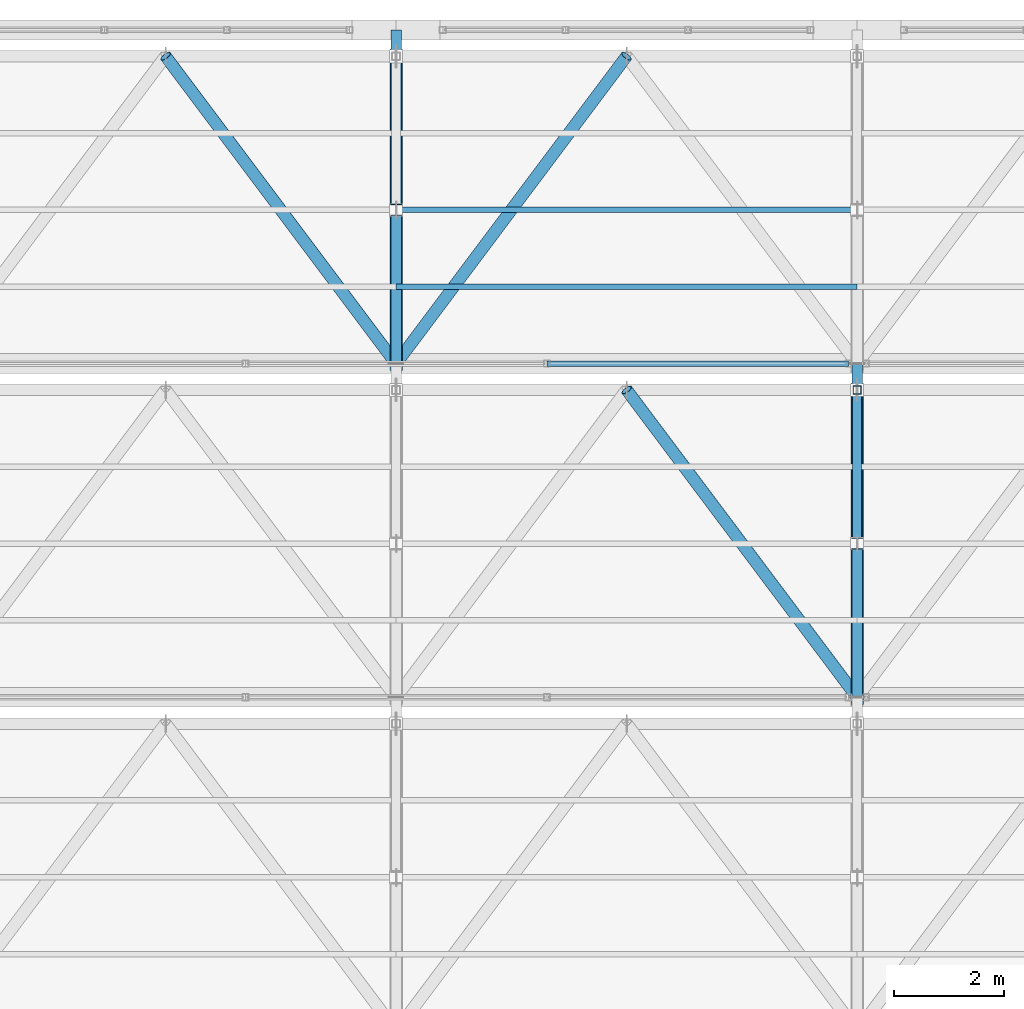
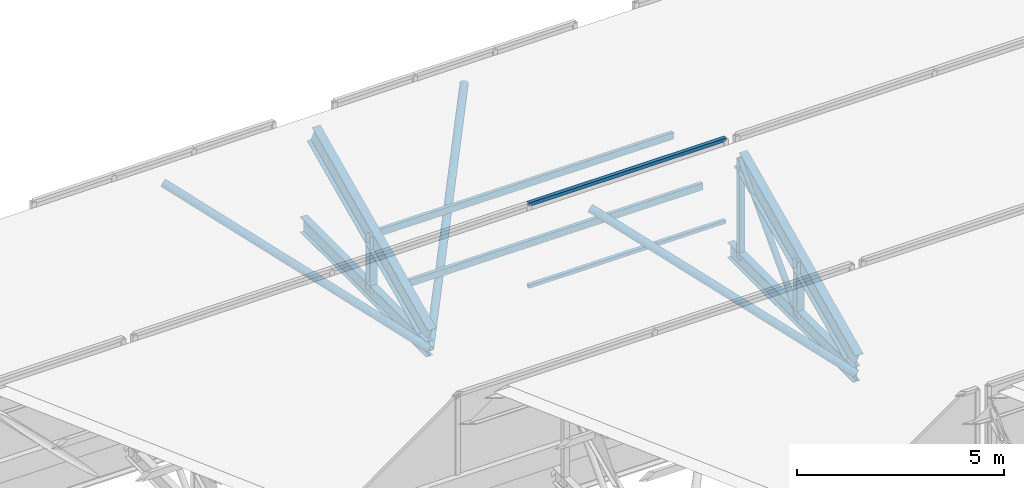
# One storey, part 111 of 217: 15 members, 1 element without a shape of its own.
"""IFC4 building model written with IfcOpenShell, lengths in metres."""

from ifc_helpers import new_model, si_unit, direction, frame, origin, origin_2d, place, context, subcontext, project, spatial, hollow_rectangle, hollow_circle, i_section, extrude, material, material_profile, profile_set, type_object, element, aggregate, save


model = new_model("IFC4")

# Units and contexts
model_context = context("Model", 3, precision=1e-05, world=origin(), true_north=direction((0.0, 1.0)))
body_context = subcontext(model_context, "Body", "Model", "MODEL_VIEW")
ifc_project = project(units=[si_unit("LENGTHUNIT", "METRE"), si_unit("AREAUNIT", "SQUARE_METRE"), si_unit("VOLUMEUNIT", "CUBIC_METRE"), si_unit("PLANEANGLEUNIT", "RADIAN"), si_unit("MASSUNIT", "GRAM", prefix="KILO")], contexts=[model_context])

# Site, building, storey
site_placement = place(None, origin())
site = spatial("IfcSite", under=ifc_project, at=site_placement, CompositionType="ELEMENT")
building_placement = place(site_placement, origin())
building = spatial("IfcBuilding", under=site, at=building_placement, Name="Zuvorla Pavilion Media Centre", CompositionType="ELEMENT")
storey_placement = place(building_placement, frame((0.0, 0.0, 9.60009765625)))
storey = spatial("IfcBuildingStorey", under=building, at=storey_placement, Name="L02", CompositionType="ELEMENT", Elevation=9.60009765625)

# Curtain wall, members
ifc_material_1 = material(Name="Unitised anodised aluminium and solar glass curtain wall", Category="aluminium")
curtain_wall_type = type_object("IfcCurtainWallType", Name="CW-SYS-88", PredefinedType="USERDEFINED", material=ifc_material_1)
curtain_wall_placement = place(storey_placement, origin())
curtain_wall = element("IfcCurtainWall", 1, at=curtain_wall_placement, inside=storey, type_object=curtain_wall_type, Name="L02 curtain wall CW88 213", ObjectType="CURTAIN WALL", PredefinedType="USERDEFINED")
ifc_material_2 = material(Name="Anodised aluminium 6063-T6", Category="aluminium")
ifc_material_profile_1 = material_profile(ifc_material_2, hollow_rectangle(XDim=0.10009765625, YDim=0.10009765625, WallThickness=0.00439453125, at=origin_2d()), Name="ALU TRAN 100x100")
ifc_profile_set_1 = profile_set([ifc_material_profile_1], Name="Anodised aluminium 6063-T6")
member_type_1 = type_object("IfcMemberType", Name="CW-TRAN-100", PredefinedType="USERDEFINED", material=ifc_profile_set_1)
member_1_placement = place(storey_placement, frame((94.74658203125, 113.919921875, 0.0), z_axis=(1.0, 0.0, 0.0), x_axis=(0.0, 1.0, 0.0)))
member_1 = element("IfcMember", 2, at=member_1_placement, type_object=member_type_1, Name="CW88 transom 3.1", ObjectType="TRANSOM", PredefinedType="USERDEFINED", context=body_context, shape_type="SweptSolid", body=[
    extrude(hollow_rectangle(XDim=0.10009765625, YDim=0.10009765625, WallThickness=0.00439453125, at=origin_2d()), origin(), (0.0, 0.0, 1.0), 5.493408203125),
])
member_2_placement = place(storey_placement, frame((94.74658203125, 113.919921875, 2.419921875), z_axis=(1.0, 0.0, 0.0), x_axis=(0.0, 1.0, 0.0)))
member_2 = element("IfcMember", 3, at=member_2_placement, type_object=member_type_1, Name="CW88 transom 3.2", ObjectType="TRANSOM", PredefinedType="USERDEFINED", context=body_context, shape_type="SweptSolid", body=[
    extrude(hollow_rectangle(XDim=0.10009765625, YDim=0.10009765625, WallThickness=0.00439453125, at=origin_2d()), origin(), (0.0, 0.0, 1.0), 5.493408203125),
])
aggregate(curtain_wall, [member_1, member_2])

# Members
ifc_material_3 = material(Name="Steel S355", Category="steel")
ifc_material_profile_2 = material_profile(ifc_material_3, hollow_circle(Radius=0.084228515625, WallThickness=0.008056640625, at=origin_2d()), Name="CHS 168.3x8")
ifc_profile_set_2 = profile_set([ifc_material_profile_2], Name="Steel S355")
member_type_2 = type_object("IfcMemberType", Name="MEM-BRC-CHS168", PredefinedType="BRACE", material=ifc_profile_set_2)
member_3_placement = place(storey_placement, frame((100.39990234375, 110.639892578125, -0.880126953125), z_axis=(0.0, 0.68676242614, 0.726881950555), x_axis=(-1.0, 0.0, 0.0)))
element("IfcMember", 4, at=member_3_placement, inside=storey, type_object=member_type_2, Name="L02 diagonal brace TB03 335", PredefinedType="BRACE", context=body_context, shape_type="SweptSolid", body=[
    extrude(hollow_circle(Radius=0.084228515625, WallThickness=0.008056640625, at=origin_2d()), origin(), (0.0, 0.0, 1.0), 4.0771484375),
])
ifc_material_profile_3 = material_profile(ifc_material_3, hollow_circle(Radius=0.109619140625, WallThickness=0.010009765625, at=origin_2d()), Name="CHS 219.1x10")
ifc_profile_set_3 = profile_set([ifc_material_profile_3], Name="Steel S355")
member_type_3 = type_object("IfcMemberType", Name="MEM-BRC-CHS219", PredefinedType="BRACE", material=ifc_profile_set_3)
member_4_placement = place(storey_placement, frame((96.199951171875, 113.43994140625, 2.08349609375), z_axis=(0.552524670006, -0.736688854033, -0.389879495972), x_axis=(0.799995814625, 0.600005580459, 0.0)))
element("IfcMember", 5, at=member_4_placement, inside=storey, type_object=member_type_3, Name="L02 diagonal brace TB02 377", PredefinedType="BRACE", context=body_context, shape_type="SweptSolid", body=[
    extrude(hollow_circle(Radius=0.109619140625, WallThickness=0.010009765625, at=origin_2d()), origin(), (0.0, 0.0, 1.0), 7.601318359375),
])
for number, where, z_axis, x_axis, name in (
    (6, (87.800048828125, 119.52001953125, 2.08349609375), (0.552511596944, -0.736703540702, -0.389870271191), (0.800008370399, 0.599988839305, 0.0), "L02 diagonal brace TB02 464"),
    (7, (92.0, 113.919921875, -0.880126953125), (0.552511596944, 0.736703540702, 0.389870271191), (-0.800008370399, 0.599988839305, 0.0), "L02 diagonal brace TB02 469"),
):
    element("IfcMember", number, at=place(storey_placement, frame(where, z_axis=z_axis, x_axis=x_axis)), inside=storey, type_object=member_type_3, Name=name, PredefinedType="BRACE", context=body_context, shape_type="SweptSolid", body=[
        extrude(hollow_circle(Radius=0.109619140625, WallThickness=0.010009765625, at=origin_2d()), origin(), (0.0, 0.0, 1.0), 7.6015625),
    ])
ifc_material_profile_4 = material_profile(ifc_material_3, i_section(OverallWidth=0.19140625, OverallDepth=0.4599609375, WebThickness=0.010009765625, FlangeThickness=0.01611328125, FilletRadius=0.01025390625, at=origin_2d()), Name="UB 457x191x82")
ifc_profile_set_4 = profile_set([ifc_material_profile_4], Name="Steel S355")
member_type_4 = type_object("IfcMemberType", Name="MEM-CHD-UB457", PredefinedType="CHORD", material=ifc_profile_set_4)
member_5_placement = place(storey_placement, frame((100.39990234375, 107.840087890625, -0.880126953125), z_axis=(0.0, 1.0, 0.0), x_axis=(-1.0, 0.0, 0.0)))
element("IfcMember", 8, at=member_5_placement, inside=storey, type_object=member_type_4, Name="L02 chord TC03 332", PredefinedType="CHORD", context=body_context, shape_type="SweptSolid", body=[
    extrude(i_section(OverallWidth=0.19140625, OverallDepth=0.4599609375, WebThickness=0.010009765625, FlangeThickness=0.01611328125, FilletRadius=0.01025390625, at=origin_2d()), origin(), (0.0, 0.0, 1.0), 6.079833984375),
])
member_6_placement = place(storey_placement, frame((92.0, 113.919921875, -0.880126953125), z_axis=(0.0, 1.0, 0.0), x_axis=(-1.0, 0.0, 0.0)))
element("IfcMember", 9, at=member_6_placement, inside=storey, type_object=member_type_4, Name="L02 chord TC03 420", PredefinedType="CHORD", context=body_context, shape_type="SweptSolid", body=[
    extrude(i_section(OverallWidth=0.19140625, OverallDepth=0.4599609375, WebThickness=0.010009765625, FlangeThickness=0.01611328125, FilletRadius=0.01025390625, at=origin_2d()), origin(), (0.0, 0.0, 1.0), 6.080078125),
])
ifc_material_profile_5 = material_profile(ifc_material_3, i_section(OverallWidth=0.22900390625, OverallDepth=0.6123046875, WebThickness=0.011962890625, FlangeThickness=0.01953125, FilletRadius=0.0126953125, at=origin_2d()), Name="UB 610x229x125")
ifc_profile_set_5 = profile_set([ifc_material_profile_5], Name="Steel S355")
member_type_5 = type_object("IfcMemberType", Name="MEM-CHD-UB610", PredefinedType="CHORD", material=ifc_profile_set_5)
member_7_placement = place(storey_placement, frame((100.39990234375, 107.840087890625, -0.5166015625), z_axis=(0.0, 0.906998718654, 0.421133380724), x_axis=(-1.0, 0.0, 0.0)))
element("IfcMember", 10, at=member_7_placement, inside=storey, type_object=member_type_5, Name="L02 chord TC01 333", PredefinedType="CHORD", context=body_context, shape_type="SweptSolid", body=[
    extrude(i_section(OverallWidth=0.22900390625, OverallDepth=0.6123046875, WebThickness=0.011962890625, FlangeThickness=0.01953125, FilletRadius=0.0126953125, at=origin_2d()), origin(), (0.0, 0.0, 1.0), 6.174072265625),
])
member_8_placement = place(storey_placement, frame((92.0, 113.919921875, -0.5166015625), z_axis=(0.0, 0.907005731366, 0.421118277053), x_axis=(-1.0, 0.0, 0.0)))
element("IfcMember", 11, at=member_8_placement, inside=storey, type_object=member_type_5, Name="L02 chord TC01 421", PredefinedType="CHORD", context=body_context, shape_type="SweptSolid", body=[
    extrude(i_section(OverallWidth=0.22900390625, OverallDepth=0.6123046875, WebThickness=0.011962890625, FlangeThickness=0.01953125, FilletRadius=0.0126953125, at=origin_2d()), origin(), (0.0, 0.0, 1.0), 6.17431640625),
])
ifc_material_profile_6 = material_profile(ifc_material_3, hollow_rectangle(XDim=0.10009765625, YDim=0.199951171875, WallThickness=0.008056640625, at=origin_2d()), Name="RHS 200x100x8")
ifc_profile_set_6 = profile_set([ifc_material_profile_6], Name="Steel S355")
member_type_6 = type_object("IfcMemberType", Name="MEM-PUR-RHS200", PredefinedType="PURLIN", material=ifc_profile_set_6)
for number, where, z_axis, x_axis, name in (
    (12, (92.0, 115.320068359375, 0.133544921875), (1.0, 0.0, 0.0), (0.0, 1.0, 0.0), "L02 purlin PR01 471"),
    (13, (92.0, 116.719970703125, 0.783447265625), (1.0, 0.0, 0.0), (0.0, 1.0, 0.0), "L02 purlin PR01 472"),
):
    element("IfcMember", number, at=place(storey_placement, frame(where, z_axis=z_axis, x_axis=x_axis)), inside=storey, type_object=member_type_6, Name=name, PredefinedType="PURLIN", context=body_context, shape_type="SweptSolid", body=[
        extrude(hollow_rectangle(XDim=0.10009765625, YDim=0.199951171875, WallThickness=0.008056640625, at=origin_2d()), origin(), (0.0, 0.0, 1.0), 8.39990234375),
    ])
ifc_material_profile_7 = material_profile(ifc_material_3, hollow_rectangle(XDim=0.14990234375, YDim=0.14990234375, WallThickness=0.008056640625, at=origin_2d()), Name="SHS 150x150x8")
ifc_profile_set_7 = profile_set([ifc_material_profile_7], Name="Steel S355")
member_type_7 = type_object("IfcMemberType", Name="MEM-STR-SHS150", PredefinedType="STRUT", material=ifc_profile_set_7)
member_9_placement = place(storey_placement, frame((100.39990234375, 113.43994140625, -0.880126953125), z_axis=(0.0, 0.0, 1.0), x_axis=(1.0, 0.0, 0.0)))
element("IfcMember", 14, at=member_9_placement, inside=storey, type_object=member_type_7, Name="L02 vertical strut TS01 334", PredefinedType="STRUT", context=body_context, shape_type="SweptSolid", body=[
    extrude(hollow_rectangle(XDim=0.14990234375, YDim=0.14990234375, WallThickness=0.008056640625, at=origin_2d()), origin(), (0.0, 0.0, 1.0), 2.963623046875),
])
ifc_material_profile_8 = material_profile(ifc_material_3, i_section(OverallWidth=0.205810546875, OverallDepth=0.209716796875, WebThickness=0.009521484375, FlangeThickness=0.01416015625, FilletRadius=0.01025390625, at=origin_2d()), Name="UC 203x203x60")
ifc_profile_set_8 = profile_set([ifc_material_profile_8], Name="Steel S355")
member_type_8 = type_object("IfcMemberType", Name="MEM-STR-UC203", PredefinedType="STRUT", material=ifc_profile_set_8)
for number, where, z_axis, x_axis, name in (
    (15, (100.39990234375, 110.639892578125, -0.880126953125), (0.0, 0.0, 1.0), (1.0, 0.0, 0.0), "L02 vertical strut TS02 336"),
    (16, (92.0, 116.719970703125, -0.880126953125), (0.0, 0.0, 1.0), (1.0, 0.0, 0.0), "L02 vertical strut TS02 424"),
):
    element("IfcMember", number, at=place(storey_placement, frame(where, z_axis=z_axis, x_axis=x_axis)), inside=storey, type_object=member_type_8, Name=name, PredefinedType="STRUT", context=body_context, shape_type="SweptSolid", body=[
        extrude(i_section(OverallWidth=0.205810546875, OverallDepth=0.209716796875, WebThickness=0.009521484375, FlangeThickness=0.01416015625, FilletRadius=0.01025390625, at=origin_2d()), origin(), (0.0, 0.0, 1.0), 1.66357421875),
    ])

save(model, "model.ifc")
